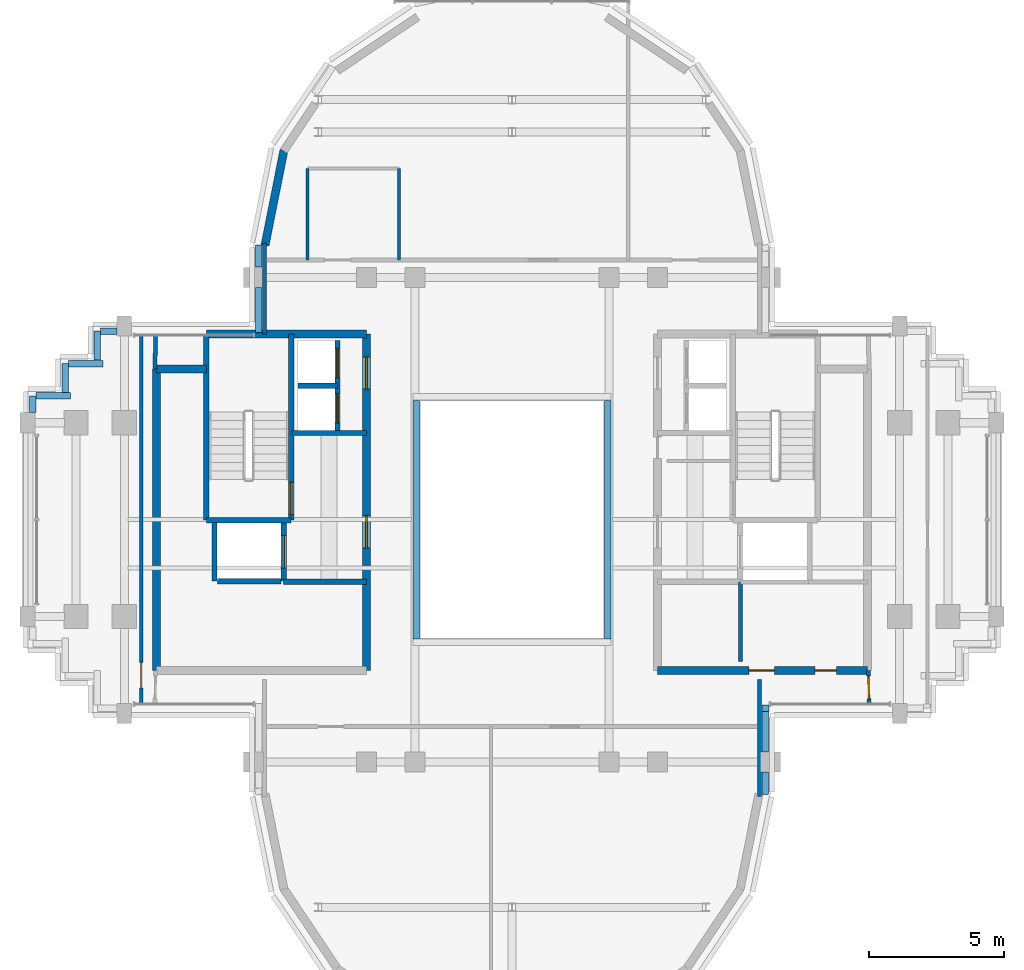
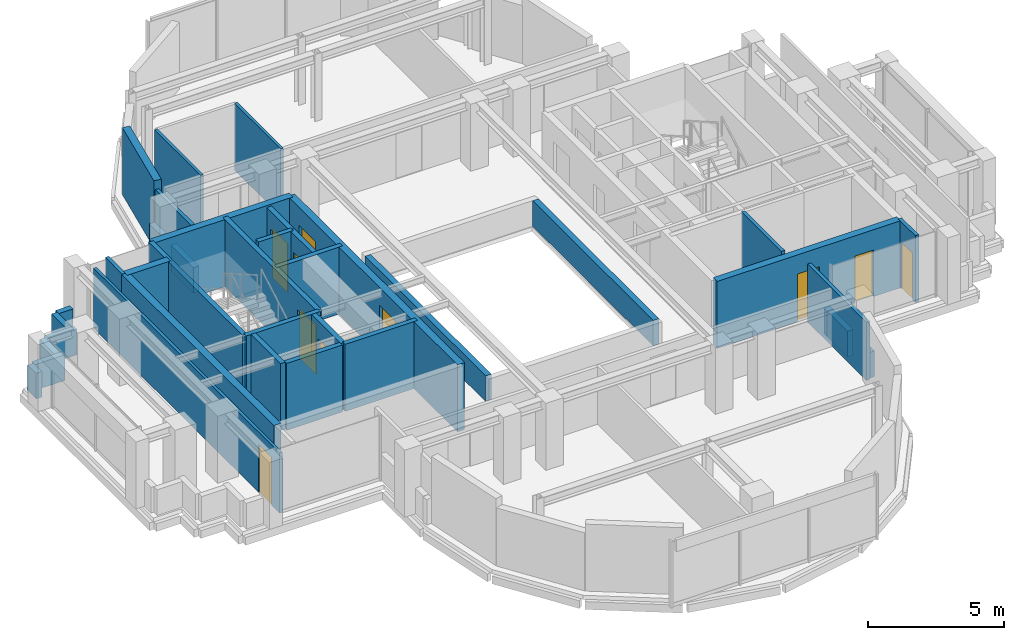
# One storey, part 8 of 12: 38 walls, 10 doors, 10 openings.
"""IFC4 building model written with IfcOpenShell, lengths in metres."""

import ifcopenshell
import ifcopenshell.guid

model = None  # the IFC model being written
_history = None  # IfcOwnerHistory: only IFC2X3 demands one
_inside = {}  # id of a spatial element -> (the spatial element, [elements in it])
_under = {}  # id of a project, library or spatial element -> (it, [spatial elements below it])
_declared = {}  # id of a project -> (the project, [libraries it declares])
_typed = {}  # id of a type object -> (the type object, [elements of that type])
_made_of = {}  # id of a material, layer set ... -> (it, [elements and type objects made of it])


def new_model(schema):
    """Start an empty IFC model of exactly this schema.

    Asked for "IFC4X3", IfcOpenShell would pick the latest addendum, in which some entities
    have other attributes; the version numbers below select the first issue.
    IFC2X3 requires an IfcOwnerHistory on every rooted entity: one is made here for all.
    """
    global model, _history
    if schema == "IFC4X3":
        model = ifcopenshell.file(schema_version=(4, 3, 0, 0))
    else:
        model = ifcopenshell.file(schema=schema)
    _inside.clear()
    _under.clear()
    _declared.clear()
    _typed.clear()
    _made_of.clear()
    _history = None
    if model.schema == "IFC2X3":
        org = make("IfcOrganization", Name="unknown")
        user = make(
            "IfcPersonAndOrganization",
            ThePerson=make("IfcPerson", FamilyName="unknown"),
            TheOrganization=org,
        )
        app = make(
            "IfcApplication",
            ApplicationDeveloper=org,
            Version="unknown",
            ApplicationFullName="unknown",
            ApplicationIdentifier="unknown",
        )
        _history = make(
            "IfcOwnerHistory",
            OwningUser=user,
            OwningApplication=app,
            ChangeAction="ADDED",
            CreationDate=0,
        )
    return model


def make(cls, **values):
    """One entity of the class cls with the attributes given. An attribute that is None is left unset."""
    return model.create_entity(
        cls, **{name: value for name, value in values.items() if value is not None}
    )


def rooted(cls, **values):
    """An entity with a GlobalId (a new one), such as an element, a storey or a relation."""
    return make(cls, GlobalId=ifcopenshell.guid.new(), OwnerHistory=_history, **values)


def si_unit(unit_type, name, prefix=None):
    """IfcSIUnit, for example si_unit("LENGTHUNIT", "METRE", prefix="MILLI")."""
    return make("IfcSIUnit", UnitType=unit_type, Prefix=prefix, Name=name)


def assignment(units):
    """IfcUnitAssignment: the units of a project."""
    return None if units is None else make("IfcUnitAssignment", Units=units)


def point(xyz):
    """IfcCartesianPoint."""
    return None if xyz is None else make("IfcCartesianPoint", Coordinates=xyz)


def direction(xyz):
    """IfcDirection."""
    return None if xyz is None else make("IfcDirection", DirectionRatios=xyz)


def frame(location, z_axis=None, x_axis=None):
    """IfcAxis2Placement3D, a coordinate frame: its origin and axes. An axis left out is left unset."""
    return make(
        "IfcAxis2Placement3D",
        Location=point(location),
        Axis=direction(z_axis),
        RefDirection=direction(x_axis),
    )


def frame_2d(location, x_axis=None):
    """IfcAxis2Placement2D, a coordinate frame in the plane: its origin and x axis."""
    return make(
        "IfcAxis2Placement2D", Location=point(location), RefDirection=direction(x_axis)
    )


def origin():
    """The frame at (0, 0, 0) with its axes left unset."""
    return frame((0.0, 0.0, 0.0))


def place(relative_to, where):
    """IfcLocalPlacement: puts the frame where relative to a parent placement (None: the world)."""
    return make(
        "IfcLocalPlacement", PlacementRelTo=relative_to, RelativePlacement=where
    )


def context(
    kind, dimensions, precision=None, world=None, true_north=None, identifier=None
):
    """IfcGeometricRepresentationContext, for example the 3D "Model" context."""
    return make(
        "IfcGeometricRepresentationContext",
        ContextIdentifier=identifier,
        ContextType=kind,
        CoordinateSpaceDimension=dimensions,
        Precision=precision,
        WorldCoordinateSystem=world,
        TrueNorth=true_north,
    )


def subcontext(parent, identifier, kind, view, scale=None):
    """IfcGeometricRepresentationSubContext, for example "Body" below "Model"."""
    return make(
        "IfcGeometricRepresentationSubContext",
        ContextIdentifier=identifier,
        ContextType=kind,
        ParentContext=parent,
        TargetScale=scale,
        TargetView=view,
    )


def project(units=None, contexts=None):
    """IfcProject with its units and contexts."""
    return rooted(
        "IfcProject",
        Name="project",
        RepresentationContexts=contexts,
        UnitsInContext=assignment(units),
    )


def spatial(cls, under=None, at=None, **own):
    """A site, building, storey or space (cls), placed at a placement, below another one or the project."""
    s = rooted(cls, ObjectPlacement=at, **own)
    if under is not None:
        _under.setdefault(under.id(), (under, []))[1].append(s)
    return s


def profile(cls, at=None, kind="AREA", **sizes):
    """A parametric profile (cls). Its sizes go by their IFC names, for example OverallWidth=200.0."""
    return make(cls, ProfileType=kind, Position=at, **sizes)


def rectangle(**sizes):
    """IfcRectangleProfileDef."""
    return profile("IfcRectangleProfileDef", **sizes)


def extrude(swept, where, along, depth):
    """IfcExtrudedAreaSolid: the profile swept, set in the frame where, extruded along a direction by depth."""
    return make(
        "IfcExtrudedAreaSolid",
        SweptArea=swept,
        Position=where,
        ExtrudedDirection=direction(along),
        Depth=depth,
    )


def shape(context_of_items, identifier, shape_type, items):
    """IfcShapeRepresentation: the items that make up one representation, for example the "Body"."""
    return make(
        "IfcShapeRepresentation",
        ContextOfItems=context_of_items,
        RepresentationIdentifier=identifier,
        RepresentationType=shape_type,
        Items=items,
    )


def source(mapping_origin, context_of_items, identifier, shape_type, items):
    """IfcRepresentationMap: a shape defined once, which mapped items show again and again."""
    return make(
        "IfcRepresentationMap",
        MappingOrigin=mapping_origin,
        MappedRepresentation=shape(context_of_items, identifier, shape_type, items),
    )


def transform(
    local_origin,
    x_axis=None,
    y_axis=None,
    z_axis=None,
    scale=None,
    scale2=None,
    scale3=None,
    uniform=True,
):
    """IfcCartesianTransformationOperator3D, or its non-uniform kind. x_axis, y_axis, z_axis: its Axis1, 2, 3."""
    if uniform:
        return make(
            "IfcCartesianTransformationOperator3D",
            Axis1=direction(x_axis),
            Axis2=direction(y_axis),
            LocalOrigin=point(local_origin),
            Scale=scale,
            Axis3=direction(z_axis),
        )
    return make(
        "IfcCartesianTransformationOperator3DnonUniform",
        Axis1=direction(x_axis),
        Axis2=direction(y_axis),
        LocalOrigin=point(local_origin),
        Scale=scale,
        Axis3=direction(z_axis),
        Scale2=scale2,
        Scale3=scale3,
    )


def mapped(mapping_source, mapping_target):
    """IfcMappedItem: shows the shape of a source again, moved by a transform."""
    return make(
        "IfcMappedItem", MappingSource=mapping_source, MappingTarget=mapping_target
    )


def material(Name=None, Category=None):
    """IfcMaterial."""
    return make("IfcMaterial", Name=Name, Category=Category)


def layer(
    of_material, thickness, ventilated=None, Name=None, Category=None, Priority=None
):
    """IfcMaterialLayer: one layer of a wall or slab, of a material (None: an air gap)."""
    return make(
        "IfcMaterialLayer",
        Material=of_material,
        LayerThickness=thickness,
        IsVentilated=ventilated,
        Name=Name,
        Category=Category,
        Priority=Priority,
    )


def layer_set(layers, Name=None):
    """IfcMaterialLayerSet."""
    return make("IfcMaterialLayerSet", MaterialLayers=layers, LayerSetName=Name)


def made_of(thing, what):
    """Note that an element or type object is made of a material, layer set ...; save() writes the relation."""
    if what is not None:
        _made_of.setdefault(what.id(), (what, []))[1].append(thing)
    return thing


def type_object(cls, material=None, **own):
    """A type object (cls), such as IfcWallType, which elements share."""
    return made_of(rooted(cls, **own), material)


def element(
    cls,
    number,
    at=None,
    inside=None,
    cuts=None,
    type_object=None,
    material=None,
    context=None,
    identifier="Body",
    shape_type=None,
    held_by="IfcProductDefinitionShape",
    body=None,
    shapes=None,
    **own,
):
    """One element of the class cls, such as IfcWall. Its Tag is "e" and its number.

    at: its placement. inside: the storey or other place that contains it. cuts: it is an
    opening in that element (IfcRelVoidsElement). A single representation is given by context,
    identifier, shape_type and body (its items); several are given by shapes. held_by: the class
    of the entity that holds the representations. save() writes the other relations.
    """
    e = rooted(cls, Tag="e%d" % number, ObjectPlacement=at, **own)
    if body is not None:
        shapes = [shape(context, identifier, shape_type, body)]
    if shapes is not None:
        e.Representation = make(held_by, Representations=shapes)
    if inside is not None:
        _inside.setdefault(inside.id(), (inside, []))[1].append(e)
    if cuts is not None:
        rooted(
            "IfcRelVoidsElement", RelatingBuildingElement=cuts, RelatedOpeningElement=e
        )
    if type_object is not None:
        _typed.setdefault(type_object.id(), (type_object, []))[1].append(e)
    return made_of(e, material)


def fill(opening, filler):
    """IfcRelFillsElement: the door or window that sits in an opening."""
    return rooted(
        "IfcRelFillsElement",
        RelatingOpeningElement=opening,
        RelatedBuildingElement=filler,
    )


def aggregate(whole, parts):
    """IfcRelAggregates: a whole, such as a stair, and the parts it consists of."""
    return rooted("IfcRelAggregates", RelatingObject=whole, RelatedObjects=parts)


def save(model, path):
    """Write the relations noted so far, then the file.

    IfcRelAggregates (storeys below a building ...), IfcRelContainedInSpatialStructure (elements
    in a storey), IfcRelDefinesByType, IfcRelAssociatesMaterial and IfcRelDeclares: one each for
    every whole, place, type object, material and project.
    """
    for whole, parts in _under.values():
        aggregate(whole, parts)
    for where, things in _inside.values():
        rooted(
            "IfcRelContainedInSpatialStructure",
            RelatedElements=things,
            RelatingStructure=where,
        )
    for kind, things in _typed.values():
        rooted("IfcRelDefinesByType", RelatedObjects=things, RelatingType=kind)
    for what, things in _made_of.values():
        rooted("IfcRelAssociatesMaterial", RelatedObjects=things, RelatingMaterial=what)
    for by, libraries in _declared.values():
        rooted("IfcRelDeclares", RelatingContext=by, RelatedDefinitions=libraries)
    model.write(path)


model = new_model("IFC4")

# Units and contexts
model_context = context("Model", 3, precision=1e-05, world=origin(), true_north=direction((0.0, 1.0)))
body_context = subcontext(model_context, "Body", "Model", "MODEL_VIEW")
ifc_project = project(units=[si_unit("LENGTHUNIT", "METRE"), si_unit("AREAUNIT", "SQUARE_METRE"), si_unit("VOLUMEUNIT", "CUBIC_METRE"), si_unit("PLANEANGLEUNIT", "RADIAN"), si_unit("MASSUNIT", "GRAM", prefix="KILO")], contexts=[model_context])

# Site, building, storey
site_placement = place(None, origin())
site = spatial("IfcSite", under=ifc_project, at=site_placement, CompositionType="ELEMENT")
building_placement = place(site_placement, origin())
building = spatial("IfcBuilding", under=site, at=building_placement, Name="Keilestroom Media Tower", CompositionType="ELEMENT")
storey_placement = place(building_placement, frame((0.0, 0.0, 236.39990234375)))
storey = spatial("IfcBuildingStorey", under=building, at=storey_placement, Name="L65", CompositionType="ELEMENT", Elevation=236.39990234375)

# Walls
ifc_material_1 = material(Name="Precast concrete C40/50", Category="concrete")
ifc_layer_1 = layer(ifc_material_1, 0.300048828125)
ifc_layer_set_1 = layer_set([ifc_layer_1], Name="Precast concrete C40/50")
wall_type_1 = type_object("IfcWallType", Name="Exterior-Masonry-Spandrel-Wall-300", PredefinedType="SOLIDWALL", material=ifc_layer_set_1)
wall_1_placement = place(storey_placement, frame((-8.470703125, 13.724609375, 0.0), z_axis=(0.0, 0.0, 1.0), x_axis=(-0.195114232679, -0.980780523974, 0.0)))
element("IfcWall", 1, at=wall_1_placement, inside=storey, type_object=wall_type_1, Name="L65 Lobe Facet Precast Frame Wall 06", PredefinedType="SOLIDWALL", context=body_context, shape_type="SweptSolid", body=[
    extrude(rectangle(XDim=3.608642578125, YDim=0.300048828125, at=frame_2d((1.80419921875, 0.0))), origin(), (0.0, 0.0, 1.0), 3.010009765625),
])
ifc_material_2 = material(Name="Gypsum Plasterboard & Steel Stud", Category="steel")
ifc_layer_2 = layer(ifc_material_2, 0.1201171875)
ifc_layer_set_2 = layer_set([ifc_layer_2], Name="Gypsum Plasterboard & Steel Stud")
wall_type_2 = type_object("IfcWallType", Name="Interior-Partition-Wall-120", PredefinedType="PARTITIONING", material=ifc_layer_set_2)
for number, where, z_axis, x_axis, name in (
    (2, (-7.60009765625, 9.639892578125, 0.0), (0.0, 0.0, 1.0), (0.0, 1.0, 0.0), "L65 Interior Wall WP-L65-NL-WC-W"),
    (3, (-4.199951171875, 9.639892578125, 0.0), (0.0, 0.0, 1.0), (0.0, 1.0, 0.0), "L65 Interior Wall WP-L65-NL-WC-E"),
):
    element("IfcWall", number, at=place(storey_placement, frame(where, z_axis=z_axis, x_axis=x_axis)), inside=storey, type_object=wall_type_2, Name=name, PredefinedType="PARTITIONING", context=body_context, shape_type="SweptSolid", body=[
        extrude(rectangle(XDim=3.400146484375, YDim=0.1201171875, at=frame_2d((1.7001953125, 0.0))), origin(), (0.0, 0.0, 1.0), 3.010009765625),
    ])

# Wall, opening, door
wall_2_placement = place(storey_placement, frame((-13.77001953125, -6.85009765625, 0.0), z_axis=(0.0, 0.0, 1.0), x_axis=(0.0, 1.0, 0.0)))
wall_2 = element("IfcWall", 4, at=wall_2_placement, inside=storey, type_object=wall_type_2, Name="L65 Interior Wall WP-L65-WA-CE", PredefinedType="PARTITIONING", context=body_context, shape_type="SweptSolid", body=[
    extrude(rectangle(XDim=13.7001953125, YDim=0.1201171875, at=frame_2d((6.85009765625, 0.0))), origin(), (0.0, 0.0, 1.0), 2.710205078125),
])
opening_1_placement = place(wall_2_placement, frame((0.60009765625, 0.0, 0.0)))
opening_1 = element("IfcOpeningElement", 5, at=opening_1_placement, cuts=wall_2, Name="Opening DI-03", PredefinedType="OPENING", context=body_context, shape_type="SweptSolid", body=[
    extrude(rectangle(XDim=0.949951171875, YDim=2.14990234375, at=frame_2d((0.47509765625, 1.074951171875))), frame((0.0, 0.070068359375, 0.0), z_axis=(0.0, -1.0, 0.0), x_axis=(1.0, 0.0, 0.0)), (0.0, 0.0, 1.0), 0.14013671875),
])
ifc_material_3 = material(Name="Lacquered European Oak Leaf", Category="wood")
door_type_1 = type_object("IfcDoorType", Name="Interior-Room-And-Suite-Door-DI-03", OperationType="NOTDEFINED", PredefinedType="DOOR", material=ifc_material_3)
shared_shape_1 = source(origin(), body_context, "Body", "SweptSolid", [
    extrude(rectangle(XDim=0.949951171875, YDim=2.14990234375, at=frame_2d((0.47509765625, 1.074951171875))), frame((0.0, 0.02490234375, 0.0), z_axis=(0.0, -1.0, 0.0), x_axis=(1.0, 0.0, 0.0)), (0.0, 0.0, 1.0), 0.050048828125),
])
door_1_placement = place(opening_1_placement, origin())
door_1 = element("IfcDoor", 6, at=door_1_placement, inside=storey, type_object=door_type_1, Name="L65 Interior Door DI-L65-DWA-END", OperationType="SINGLE_SWING_LEFT", OverallHeight=2.14990234375, OverallWidth=0.949951171875, PredefinedType="DOOR", context=body_context, shape_type="MappedRepresentation", body=[
    mapped(shared_shape_1, transform((0.0, 0.0, 0.0), x_axis=(1.0, 0.0, 0.0), y_axis=(0.0, 1.0, 0.0), z_axis=(0.0, 0.0, 1.0), scale=1.0)),
])
fill(opening_1, door_1)

# Walls
ifc_layer_3 = layer(ifc_material_2, 0.14990234375)
ifc_layer_set_3 = layer_set([ifc_layer_3], Name="Gypsum Plasterboard & Steel Stud")
wall_type_3 = type_object("IfcWallType", Name="Interior-Partition-Wall-150", PredefinedType="PARTITIONING", material=ifc_layer_set_3)
wall_3_placement = place(storey_placement, frame((8.47998046875, -5.260009765625, 0.0), z_axis=(0.0, 0.0, 1.0), x_axis=(0.0, 1.0, 0.0)))
element("IfcWall", 7, at=wall_3_placement, inside=storey, type_object=wall_type_3, Name="L65 Interior Wall WP-L65-RECME-W", PredefinedType="PARTITIONING", context=body_context, shape_type="SweptSolid", body=[
    extrude(rectangle(XDim=2.93994140625, YDim=0.14990234375, at=frame_2d((1.469970703125, 0.0))), origin(), (0.0, 0.0, 1.0), 3.010009765625),
])
wall_4_placement = place(storey_placement, frame((-9.199951171875, 6.89990234375, 0.0), z_axis=(0.0, 0.0, 1.0), x_axis=(0.0, 1.0, 0.0)))
element("IfcWall", 8, at=wall_4_placement, inside=storey, type_object=wall_type_3, Name="L65 Interior Wall WP-L65-NL-CHKW", PredefinedType="PARTITIONING", context=body_context, shape_type="SweptSolid", body=[
    extrude(rectangle(XDim=3.380126953125, YDim=0.14990234375, at=frame_2d((1.68994140625, 0.0))), origin(), (0.0, 0.0, 1.0), 2.610107421875),
])
wall_5_placement = place(storey_placement, frame((9.199951171875, -10.280029296875, 0.0), z_axis=(0.0, 0.0, 1.0), x_axis=(0.0, 1.0, 0.0)))
element("IfcWall", 9, at=wall_5_placement, inside=storey, type_object=wall_type_3, Name="L65 Interior Wall WP-L65-SL-CHKE", PredefinedType="PARTITIONING", context=body_context, shape_type="SweptSolid", body=[
    extrude(rectangle(XDim=4.340087890625, YDim=0.14990234375, at=frame_2d((2.169921875, 0.0))), origin(), (0.0, 0.0, 1.0), 2.610107421875),
])
wall_6_placement = place(storey_placement, frame((-13.260009765625, 5.60009765625, 0.0), z_axis=(0.0, 0.0, 1.0), x_axis=(0.016013571389, 0.999871774545, 0.0)))
element("IfcWall", 10, at=wall_6_placement, inside=storey, type_object=wall_type_3, Name="L65 Interior Wall WP-L65-WA-ENTN", PredefinedType="PARTITIONING", context=body_context, shape_type="SweptSolid", body=[
    extrude(rectangle(XDim=1.250244140625, YDim=0.14990234375, at=frame_2d((0.625, 0.0))), origin(), (0.0, 0.0, 1.0), 3.010009765625),
])

# Wall, opening, door
wall_7_placement = place(storey_placement, frame((13.260009765625, -6.85009765625, 0.0), z_axis=(0.0, 0.0, 1.0), x_axis=(-0.016013571389, 0.999871774545, 0.0)))
wall_7 = element("IfcWall", 11, at=wall_7_placement, inside=storey, type_object=wall_type_3, Name="L65 Interior Wall WP-L65-EA-ENTS", PredefinedType="PARTITIONING", context=body_context, shape_type="SweptSolid", body=[
    extrude(rectangle(XDim=1.250244140625, YDim=0.14990234375, at=frame_2d((0.625, 0.0))), origin(), (0.0, 0.0, 1.0), 3.010009765625),
])
opening_2_placement = place(wall_7_placement, frame((0.199951171875, 0.0, 0.0)))
opening_2 = element("IfcOpeningElement", 12, at=opening_2_placement, cuts=wall_7, Name="Opening DI-05", PredefinedType="OPENING", context=body_context, shape_type="SweptSolid", body=[
    extrude(rectangle(XDim=0.85009765625, YDim=2.10009765625, at=frame_2d((0.425048828125, 1.050048828125))), frame((0.0, 0.0849609375, 0.0), z_axis=(0.0, -1.0, 0.0), x_axis=(1.0, 0.0, 0.0)), (0.0, 0.0, 1.0), 0.169921875),
])
ifc_material_4 = material(Name="Moisture-Resistant Oak Leaf", Category="wood")
door_type_2 = type_object("IfcDoorType", Name="Interior-En-Suite-And-Cupboard-Door-DI-05", OperationType="NOTDEFINED", PredefinedType="DOOR", material=ifc_material_4)
shared_shape_2 = source(origin(), body_context, "Body", "SweptSolid", [
    extrude(rectangle(XDim=0.85009765625, YDim=2.10009765625, at=frame_2d((0.425048828125, 1.050048828125))), frame((0.0, 0.02490234375, 0.0), z_axis=(0.0, -1.0, 0.0), x_axis=(1.0, 0.0, 0.0)), (0.0, 0.0, 1.0), 0.050048828125),
])
door_2_placement = place(opening_2_placement, origin())
door_2 = element("IfcDoor", 13, at=door_2_placement, inside=storey, type_object=door_type_2, Name="L65 Interior Door DI-L65-DEA-W", OperationType="SINGLE_SWING_LEFT", OverallHeight=2.10009765625, OverallWidth=0.85009765625, PredefinedType="DOOR", context=body_context, shape_type="MappedRepresentation", body=[
    mapped(shared_shape_2, transform((0.0, 0.0, 0.0), x_axis=(1.0, 0.0, 0.0), y_axis=(0.0, 1.0, 0.0), z_axis=(0.0, 0.0, 1.0), scale=1.0)),
])
fill(opening_2, door_2)

# Wall
ifc_material_5 = material(Name="Concrete C50/60", Category="concrete")
ifc_layer_4 = layer(ifc_material_5, 0.300048828125)
ifc_layer_set_4 = layer_set([ifc_layer_4], Name="Concrete C50/60")
wall_type_4 = type_object("IfcWallType", Name="Reinforced-Concrete-Core-Shear-Wall-300", PredefinedType="SHEAR", material=ifc_layer_set_4)
wall_8_placement = place(storey_placement, frame((-13.199951171875, -5.60009765625, 0.0), z_axis=(0.0, 0.0, 1.0), x_axis=(0.0, 1.0, 0.0)))
element("IfcWall", 14, at=wall_8_placement, inside=storey, type_object=wall_type_4, Name="L65 Core Shear Wall WL-L65-CORE-W-OUT", PredefinedType="SHEAR", context=body_context, shape_type="SweptSolid", body=[
    extrude(rectangle(XDim=11.2001953125, YDim=0.300048828125, at=frame_2d((5.60009765625, 0.0))), origin(), (0.0, 0.0, 1.0), 3.010009765625),
])

# Wall, openings, doors
wall_9_placement = place(storey_placement, frame((-5.39990234375, -5.60009765625, 0.0), z_axis=(0.0, 0.0, 1.0), x_axis=(0.0, 1.0, 0.0)))
wall_9 = element("IfcWall", 15, at=wall_9_placement, inside=storey, type_object=wall_type_4, Name="L65 Core Shear Wall WL-L65-CORE-W-IN", PredefinedType="SHEAR", context=body_context, shape_type="SweptSolid", body=[
    extrude(rectangle(XDim=12.5, YDim=0.300048828125, at=frame_2d((6.25, 0.0))), origin(), (0.0, 0.0, 1.0), 3.010009765625),
])
opening_3_placement = place(wall_9_placement, frame((4.550048828125, 0.0, 0.0)))
opening_3 = element("IfcOpeningElement", 16, at=opening_3_placement, cuts=wall_9, Name="Opening DI-02", PredefinedType="OPENING", context=body_context, shape_type="SweptSolid", body=[
    extrude(rectangle(XDim=1.199951171875, YDim=2.199951171875, at=frame_2d((0.60009765625, 1.10009765625))), frame((0.0, 0.16015625, 0.0), z_axis=(0.0, -1.0, 0.0), x_axis=(1.0, 0.0, 0.0)), (0.0, 0.0, 1.0), 0.320068359375),
])
opening_4_placement = place(wall_9_placement, frame((10.449951171875, 0.0, 0.0)))
opening_4 = element("IfcOpeningElement", 17, at=opening_4_placement, cuts=wall_9, Name="Opening DI-02", PredefinedType="OPENING", context=body_context, shape_type="SweptSolid", body=[
    extrude(rectangle(XDim=1.199951171875, YDim=2.199951171875, at=frame_2d((0.60009765625, 1.10009765625))), frame((0.0, 0.16015625, 0.0), z_axis=(0.0, -1.0, 0.0), x_axis=(1.0, 0.0, 0.0)), (0.0, 0.0, 1.0), 0.320068359375),
])
ifc_material_6 = material(Name="Powder-Coated Steel Fire Leaf", Category="steel")
door_type_3 = type_object("IfcDoorType", Name="Interior-Compartment-Fire-Door-DI-02", OperationType="NOTDEFINED", PredefinedType="DOOR", material=ifc_material_6)
shared_shape_3 = source(origin(), body_context, "Body", "SweptSolid", [
    extrude(rectangle(XDim=1.199951171875, YDim=2.199951171875, at=frame_2d((0.60009765625, 1.10009765625))), frame((0.0, 0.02490234375, 0.0), z_axis=(0.0, -1.0, 0.0), x_axis=(1.0, 0.0, 0.0)), (0.0, 0.0, 1.0), 0.050048828125),
])
door_3_placement = place(opening_3_placement, origin())
door_3 = element("IfcDoor", 18, at=door_3_placement, inside=storey, type_object=door_type_3, Name="L65 W Firefighting Lobby Door", OperationType="SINGLE_SWING_RIGHT", OverallHeight=2.199951171875, OverallWidth=1.199951171875, PredefinedType="DOOR", context=body_context, shape_type="MappedRepresentation", body=[
    mapped(shared_shape_3, transform((0.0, 0.0, 0.0), x_axis=(1.0, 0.0, 0.0), y_axis=(0.0, 1.0, 0.0), z_axis=(0.0, 0.0, 1.0), scale=1.0)),
])
fill(opening_3, door_3)
door_4_placement = place(opening_4_placement, origin())
door_4 = element("IfcDoor", 19, at=door_4_placement, inside=storey, type_object=door_type_3, Name="L65 W High-Rise Lift Lobby Door", OperationType="SINGLE_SWING_LEFT", OverallHeight=2.199951171875, OverallWidth=1.199951171875, PredefinedType="DOOR", context=body_context, shape_type="MappedRepresentation", body=[
    mapped(shared_shape_3, transform((0.0, 0.0, 0.0), x_axis=(1.0, 0.0, 0.0), y_axis=(0.0, 1.0, 0.0), z_axis=(0.0, 0.0, 1.0), scale=1.0)),
])
fill(opening_4, door_4)

# Walls
wall_10_placement = place(storey_placement, frame((-11.35595703125, 6.89990234375, 0.0), z_axis=(0.0, 0.0, 1.0), x_axis=(1.0, 0.0, 0.0)))
element("IfcWall", 20, at=wall_10_placement, inside=storey, type_object=wall_type_4, Name="L65 Core Shear Wall WL-L65-CORE-W-N", PredefinedType="SHEAR", context=body_context, shape_type="SweptSolid", body=[
    extrude(rectangle(XDim=5.9560546875, YDim=0.300048828125, at=frame_2d((2.97802734375, 0.0))), origin(), (0.0, 0.0, 1.0), 3.010009765625),
])
wall_11_placement = place(storey_placement, frame((-13.199951171875, 5.60009765625, 0.0), z_axis=(0.0, 0.0, 1.0), x_axis=(1.0, 0.0, 0.0)))
element("IfcWall", 21, at=wall_11_placement, inside=storey, type_object=wall_type_4, Name="L65 Core Shear Wall WL-L65-CNW-N", PredefinedType="SHEAR", context=body_context, shape_type="SweptSolid", body=[
    extrude(rectangle(XDim=1.843994140625, YDim=0.300048828125, at=frame_2d((0.921875, 0.0))), origin(), (0.0, 0.0, 1.0), 3.010009765625),
])

# Wall, openings, doors
wall_12_placement = place(storey_placement, frame((5.39990234375, -5.60009765625, 0.0), z_axis=(0.0, 0.0, 1.0), x_axis=(1.0, 0.0, 0.0)))
wall_12 = element("IfcWall", 22, at=wall_12_placement, inside=storey, type_object=wall_type_4, Name="L65 Core Shear Wall WL-L65-CORE-E-S", PredefinedType="SHEAR", context=body_context, shape_type="SweptSolid", body=[
    extrude(rectangle(XDim=7.800048828125, YDim=0.300048828125, at=frame_2d((3.89990234375, 0.0))), origin(), (0.0, 0.0, 1.0), 3.010009765625),
])
opening_5_placement = place(wall_12_placement, frame((5.85009765625, 0.0, 0.0)))
opening_5 = element("IfcOpeningElement", 23, at=opening_5_placement, cuts=wall_12, Name="Opening DI-06", PredefinedType="OPENING", context=body_context, shape_type="SweptSolid", body=[
    extrude(rectangle(XDim=0.800048828125, YDim=2.10009765625, at=frame_2d((0.39990234375, 1.050048828125))), frame((0.0, 0.16015625, 0.0), z_axis=(0.0, -1.0, 0.0), x_axis=(1.0, 0.0, 0.0)), (0.0, 0.0, 1.0), 0.320068359375),
])
opening_6_placement = place(wall_12_placement, frame((3.39990234375, 0.0, 0.0)))
opening_6 = element("IfcOpeningElement", 24, at=opening_6_placement, cuts=wall_12, Name="Opening DI-03", PredefinedType="OPENING", context=body_context, shape_type="SweptSolid", body=[
    extrude(rectangle(XDim=0.949951171875, YDim=2.14990234375, at=frame_2d((0.47509765625, 1.074951171875))), frame((0.0, 0.16015625, 0.0), z_axis=(0.0, -1.0, 0.0), x_axis=(1.0, 0.0, 0.0)), (0.0, 0.0, 1.0), 0.320068359375),
])
ifc_material_7 = material(Name="Powder-Coated Steel Service Leaf", Category="steel")
door_type_4 = type_object("IfcDoorType", Name="Interior-Riser-Access-Door-DI-06", OperationType="NOTDEFINED", PredefinedType="DOOR", material=ifc_material_7)
shared_shape_4 = source(origin(), body_context, "Body", "SweptSolid", [
    extrude(rectangle(XDim=0.800048828125, YDim=2.10009765625, at=frame_2d((0.39990234375, 1.050048828125))), frame((0.0, 0.02490234375, 0.0), z_axis=(0.0, -1.0, 0.0), x_axis=(1.0, 0.0, 0.0)), (0.0, 0.0, 1.0), 0.050048828125),
])
door_5_placement = place(opening_5_placement, origin())
door_5 = element("IfcDoor", 25, at=door_5_placement, inside=storey, type_object=door_type_4, Name="L65 Reclaimed East Core Room Door", OperationType="SINGLE_SWING_RIGHT", OverallHeight=2.10009765625, OverallWidth=0.800048828125, PredefinedType="DOOR", context=body_context, shape_type="MappedRepresentation", body=[
    mapped(shared_shape_4, transform((0.0, 0.0, 0.0), x_axis=(1.0, 0.0, 0.0), y_axis=(0.0, 1.0, 0.0), z_axis=(0.0, 0.0, 1.0), scale=1.0)),
])
fill(opening_5, door_5)
door_6_placement = place(opening_6_placement, origin())
door_6 = element("IfcDoor", 26, at=door_6_placement, inside=storey, type_object=door_type_1, Name="L65 Reclaimed Mid East Room Door", OperationType="SINGLE_SWING_RIGHT", OverallHeight=2.14990234375, OverallWidth=0.949951171875, PredefinedType="DOOR", context=body_context, shape_type="MappedRepresentation", body=[
    mapped(shared_shape_1, transform((0.0, 0.0, 0.0), x_axis=(1.0, 0.0, 0.0), y_axis=(0.0, 1.0, 0.0), z_axis=(0.0, 0.0, 1.0), scale=1.0)),
])
fill(opening_6, door_6)

# Walls
ifc_layer_5 = layer(ifc_material_5, 0.199951171875)
ifc_layer_set_5 = layer_set([ifc_layer_5], Name="Concrete C50/60")
wall_type_5 = type_object("IfcWallType", Name="Reinforced-Concrete-Shaft-Wall-200", PredefinedType="SOLIDWALL", material=ifc_layer_set_5)
wall_13_placement = place(storey_placement, frame((-8.179931640625, 3.219970703125, 0.0), z_axis=(0.0, 0.0, 1.0), x_axis=(1.0, 0.0, 0.0)))
element("IfcWall", 27, at=wall_13_placement, inside=storey, type_object=wall_type_5, Name="L65 Core Shear Wall WL-L65-CORE-W-FFN", PredefinedType="SOLIDWALL", context=body_context, shape_type="SweptSolid", body=[
    extrude(rectangle(XDim=2.780029296875, YDim=0.199951171875, at=frame_2d((1.39013671875, 0.0))), origin(), (0.0, 0.0, 1.0), 3.010009765625),
])
wall_14_placement = place(storey_placement, frame((-8.47998046875, -2.300048828125, 0.0), z_axis=(0.0, 0.0, 1.0), x_axis=(1.0, 0.0, 0.0)))
element("IfcWall", 28, at=wall_14_placement, inside=storey, type_object=wall_type_5, Name="L65 Core Shear Wall WL-L65-CORE-W-FFS", PredefinedType="SOLIDWALL", context=body_context, shape_type="SweptSolid", body=[
    extrude(rectangle(XDim=3.080078125, YDim=0.199951171875, at=frame_2d((1.5400390625, 0.0))), origin(), (0.0, 0.0, 1.0), 3.010009765625),
])

# Wall, opening, door
wall_15_placement = place(storey_placement, frame((-8.2041015625, -0.01611328125, 0.0), z_axis=(0.0, 0.0, 1.0), x_axis=(0.0, 1.0, 0.0)))
wall_15 = element("IfcWall", 29, at=wall_15_placement, inside=storey, type_object=wall_type_5, Name="L65 Core Shear Wall WL-L65-STW-W-NEAR", PredefinedType="SOLIDWALL", context=body_context, shape_type="SweptSolid", body=[
    extrude(rectangle(XDim=6.916015625, YDim=0.199951171875, at=frame_2d((3.4580078125, 0.0))), origin(), (0.0, 0.0, 1.0), 3.010009765625),
])
opening_7_placement = place(wall_15_placement, frame((0.199951171875, 0.0, 0.0)))
opening_7 = element("IfcOpeningElement", 30, at=opening_7_placement, cuts=wall_15, Name="Opening DI-01S", PredefinedType="OPENING", context=body_context, shape_type="SweptSolid", body=[
    extrude(rectangle(XDim=1.199951171875, YDim=2.199951171875, at=frame_2d((0.60009765625, 1.10009765625))), frame((0.0, 0.10986328125, 0.0), z_axis=(0.0, -1.0, 0.0), x_axis=(1.0, 0.0, 0.0)), (0.0, 0.0, 1.0), 0.219970703125),
])
door_type_5 = type_object("IfcDoorType", Name="Interior-Stair-And-Core-Fire-Door-DI-01", OperationType="NOTDEFINED", PredefinedType="DOOR", material=ifc_material_6)
door_7_placement = place(opening_7_placement, origin())
door_7 = element("IfcDoor", 31, at=door_7_placement, inside=storey, type_object=door_type_5, Name="L65 Escape Stair ST-1 Fire Door", OperationType="SINGLE_SWING_LEFT", OverallHeight=2.199951171875, OverallWidth=1.199951171875, PredefinedType="DOOR", context=body_context, shape_type="MappedRepresentation", body=[
    mapped(shared_shape_3, transform((0.0, 0.0, 0.0), x_axis=(1.0, 0.0, 0.0), y_axis=(0.0, 1.0, 0.0), z_axis=(0.0, 0.0, 1.0), scale=1.0)),
])
fill(opening_7, door_7)

# Walls
wall_16_placement = place(storey_placement, frame((-11.35595703125, -0.01611328125, 0.0), z_axis=(0.0, 0.0, 1.0), x_axis=(0.0, 1.0, 0.0)))
element("IfcWall", 32, at=wall_16_placement, inside=storey, type_object=wall_type_5, Name="L65 Core Shear Wall WL-L65-STW-W-FAR", PredefinedType="SOLIDWALL", context=body_context, shape_type="SweptSolid", body=[
    extrude(rectangle(XDim=6.916015625, YDim=0.199951171875, at=frame_2d((3.4580078125, 0.0))), origin(), (0.0, 0.0, 1.0), 3.010009765625),
])
wall_17_placement = place(storey_placement, frame((-11.35595703125, -0.01611328125, 0.0), z_axis=(0.0, 0.0, 1.0), x_axis=(1.0, 0.0, 0.0)))
element("IfcWall", 33, at=wall_17_placement, inside=storey, type_object=wall_type_5, Name="L65 Core Shear Wall WL-L65-STW-W-S", PredefinedType="SOLIDWALL", context=body_context, shape_type="SweptSolid", body=[
    extrude(rectangle(XDim=3.15185546875, YDim=0.199951171875, at=frame_2d((1.575927734375, 0.0))), origin(), (0.0, 0.0, 1.0), 3.010009765625),
])
wall_18_placement = place(storey_placement, frame((-11.050048828125, -2.280029296875, 0.0), z_axis=(0.0, 0.0, 1.0), x_axis=(0.0, 1.0, 0.0)))
element("IfcWall", 34, at=wall_18_placement, inside=storey, type_object=wall_type_5, Name="L65 Core Shear Wall WL-L65-LSH-FFL-1-W", PredefinedType="SOLIDWALL", context=body_context, shape_type="SweptSolid", body=[
    extrude(rectangle(XDim=2.179931640625, YDim=0.199951171875, at=frame_2d((1.08984375, 0.0))), origin(), (0.0, 0.0, 1.0), 3.010009765625),
])

# Wall, opening, door
wall_19_placement = place(storey_placement, frame((-8.47998046875, -2.280029296875, 0.0), z_axis=(0.0, 0.0, 1.0), x_axis=(0.0, 1.0, 0.0)))
wall_19 = element("IfcWall", 35, at=wall_19_placement, inside=storey, type_object=wall_type_5, Name="L65 Core Shear Wall WL-L65-LSH-FFL-1-E", PredefinedType="SOLIDWALL", context=body_context, shape_type="SweptSolid", body=[
    extrude(rectangle(XDim=2.179931640625, YDim=0.199951171875, at=frame_2d((1.08984375, 0.0))), origin(), (0.0, 0.0, 1.0), 3.010009765625),
])
opening_8_placement = place(wall_19_placement, frame((0.489990234375, 0.0, 0.0)))
opening_8 = element("IfcOpeningElement", 36, at=opening_8_placement, cuts=wall_19, Name="Opening LD-02", PredefinedType="OPENING", context=body_context, shape_type="SweptSolid", body=[
    extrude(rectangle(XDim=1.199951171875, YDim=2.199951171875, at=frame_2d((0.60009765625, 1.10009765625))), frame((0.0, 0.10986328125, 0.0), z_axis=(0.0, -1.0, 0.0), x_axis=(1.0, 0.0, 0.0)), (0.0, 0.0, 1.0), 0.219970703125),
])
ifc_material_8 = material(Name="Brushed Stainless Steel Sliding Leaf", Category="steel")
door_type_6 = type_object("IfcDoorType", Name="Lift-Landing-Sliding-Door-LD-02", OperationType="SLIDING_TO_RIGHT", PredefinedType="DOOR", material=ifc_material_8)
door_8_placement = place(opening_8_placement, origin())
door_8 = element("IfcDoor", 37, at=door_8_placement, inside=storey, type_object=door_type_6, Name="L65 Lift FFL-1 Landing Sliding Door", OperationType="SLIDING_TO_RIGHT", OverallHeight=2.199951171875, OverallWidth=1.199951171875, PredefinedType="DOOR", context=body_context, shape_type="MappedRepresentation", body=[
    mapped(shared_shape_3, transform((0.0, 0.0, 0.0), x_axis=(1.0, 0.0, 0.0), y_axis=(0.0, 1.0, 0.0), z_axis=(0.0, 0.0, 1.0), scale=1.0)),
])
fill(opening_8, door_8)

# Wall
wall_20_placement = place(storey_placement, frame((-10.946044921875, -2.280029296875, 0.0), z_axis=(0.0, 0.0, 1.0), x_axis=(1.0, 0.0, 0.0)))
element("IfcWall", 38, at=wall_20_placement, inside=storey, type_object=wall_type_5, Name="L65 Core Shear Wall WL-L65-LSH-FFL-1-S", PredefinedType="SOLIDWALL", context=body_context, shape_type="SweptSolid", body=[
    extrude(rectangle(XDim=2.362060546875, YDim=0.199951171875, at=frame_2d((1.18115234375, 0.0))), origin(), (0.0, 0.0, 1.0), 3.010009765625),
])

# Wall, opening, door
wall_21_placement = place(storey_placement, frame((-6.47998046875, 3.300048828125, 0.0), z_axis=(0.0, 0.0, 1.0), x_axis=(0.0, 1.0, 0.0)))
wall_21 = element("IfcWall", 39, at=wall_21_placement, inside=storey, type_object=wall_type_5, Name="L65 Core Shear Wall WL-L65-LSH-PL-H1-E", PredefinedType="SOLIDWALL", context=body_context, shape_type="SweptSolid", body=[
    extrude(rectangle(XDim=1.679931640625, YDim=0.199951171875, at=frame_2d((0.83984375, 0.0))), origin(), (0.0, 0.0, 1.0), 3.010009765625),
])
opening_9_placement = place(wall_21_placement, frame((0.2900390625, 0.0, 0.0)))
opening_9 = element("IfcOpeningElement", 40, at=opening_9_placement, cuts=wall_21, Name="Opening LD-01", PredefinedType="OPENING", context=body_context, shape_type="SweptSolid", body=[
    extrude(rectangle(XDim=1.10009765625, YDim=2.199951171875, at=frame_2d((0.550048828125, 1.10009765625))), frame((0.0, 0.10986328125, 0.0), z_axis=(0.0, -1.0, 0.0), x_axis=(1.0, 0.0, 0.0)), (0.0, 0.0, 1.0), 0.219970703125),
])
door_type_7 = type_object("IfcDoorType", Name="Lift-Landing-Sliding-Door-LD-01", OperationType="SLIDING_TO_LEFT", PredefinedType="DOOR", material=ifc_material_8)
shared_shape_5 = source(origin(), body_context, "Body", "SweptSolid", [
    extrude(rectangle(XDim=1.10009765625, YDim=2.199951171875, at=frame_2d((0.550048828125, 1.10009765625))), frame((0.0, 0.02490234375, 0.0), z_axis=(0.0, -1.0, 0.0), x_axis=(1.0, 0.0, 0.0)), (0.0, 0.0, 1.0), 0.050048828125),
])
door_9_placement = place(opening_9_placement, origin())
door_9 = element("IfcDoor", 41, at=door_9_placement, inside=storey, type_object=door_type_7, Name="L65 Lift PL-H1 Landing Sliding Door", OperationType="SLIDING_TO_LEFT", OverallHeight=2.199951171875, OverallWidth=1.10009765625, PredefinedType="DOOR", context=body_context, shape_type="MappedRepresentation", body=[
    mapped(shared_shape_5, transform((0.0, 0.0, 0.0), x_axis=(1.0, 0.0, 0.0), y_axis=(0.0, 1.0, 0.0), z_axis=(0.0, 0.0, 1.0), scale=1.0)),
])
fill(opening_9, door_9)

# Wall
wall_22_placement = place(storey_placement, frame((-7.949951171875, 4.97998046875, 0.0), z_axis=(0.0, 0.0, 1.0), x_axis=(1.0, 0.0, 0.0)))
element("IfcWall", 42, at=wall_22_placement, inside=storey, type_object=wall_type_5, Name="L65 Core Shear Wall WL-L65-LSH-PL-H1-N", PredefinedType="SOLIDWALL", context=body_context, shape_type="SweptSolid", body=[
    extrude(rectangle(XDim=1.469970703125, YDim=0.199951171875, at=frame_2d((0.73486328125, 0.0))), origin(), (0.0, 0.0, 1.0), 3.010009765625),
])

# Wall, opening, door
wall_23_placement = place(storey_placement, frame((-6.47998046875, 4.97998046875, 0.0), z_axis=(0.0, 0.0, 1.0), x_axis=(0.0, 1.0, 0.0)))
wall_23 = element("IfcWall", 43, at=wall_23_placement, inside=storey, type_object=wall_type_5, Name="L65 Core Shear Wall WL-L65-LSH-PL-H2-E", PredefinedType="SOLIDWALL", context=body_context, shape_type="SweptSolid", body=[
    extrude(rectangle(XDim=1.669921875, YDim=0.199951171875, at=frame_2d((0.8349609375, 0.0))), origin(), (0.0, 0.0, 1.0), 3.010009765625),
])
opening_10_placement = place(wall_23_placement, frame((0.284912109375, 0.0, 0.0)))
opening_10 = element("IfcOpeningElement", 44, at=opening_10_placement, cuts=wall_23, Name="Opening LD-01", PredefinedType="OPENING", context=body_context, shape_type="SweptSolid", body=[
    extrude(rectangle(XDim=1.10009765625, YDim=2.199951171875, at=frame_2d((0.550048828125, 1.10009765625))), frame((0.0, 0.10986328125, 0.0), z_axis=(0.0, -1.0, 0.0), x_axis=(1.0, 0.0, 0.0)), (0.0, 0.0, 1.0), 0.219970703125),
])
door_10_placement = place(opening_10_placement, origin())
door_10 = element("IfcDoor", 45, at=door_10_placement, inside=storey, type_object=door_type_7, Name="L65 Lift PL-H2 Landing Sliding Door", OperationType="SLIDING_TO_LEFT", OverallHeight=2.199951171875, OverallWidth=1.10009765625, PredefinedType="DOOR", context=body_context, shape_type="MappedRepresentation", body=[
    mapped(shared_shape_5, transform((0.0, 0.0, 0.0), x_axis=(1.0, 0.0, 0.0), y_axis=(0.0, 1.0, 0.0), z_axis=(0.0, 0.0, 1.0), scale=1.0)),
])
fill(opening_10, door_10)

# Walls
ifc_layer_6 = layer(ifc_material_1, 0.239990234375)
ifc_layer_set_6 = layer_set([ifc_layer_6], Name="Precast concrete C40/50")
wall_type_6 = type_object("IfcWallType", Name="Roof-And-Terrace-Parapet-Wall-240", PredefinedType="PARAPET", material=ifc_layer_set_6)
wall_24_placement = place(storey_placement, frame((9.547119140625, -7.0, 0.0), z_axis=(0.0, 0.0, 1.0), x_axis=(-1.0, 0.0, 0.0)))
element("IfcWall", 46, at=wall_24_placement, inside=storey, type_object=wall_type_6, Name="L65 Perimeter Edge Parapet Wall 07", PredefinedType="PARAPET", context=body_context, shape_type="SweptSolid", body=[
    extrude(rectangle(XDim=0.26904296875, YDim=0.239990234375, at=frame_2d((0.134521484375, 0.0))), origin(), (0.0, 0.0, 1.0), 1.150146484375),
])
wall_25_placement = place(storey_placement, frame((9.39990234375, -7.123046875, 0.0), z_axis=(0.0, 0.0, 1.0), x_axis=(0.0, -1.0, 0.0)))
element("IfcWall", 47, at=wall_25_placement, inside=storey, type_object=wall_type_6, Name="L65 Perimeter Edge Parapet Wall 08", PredefinedType="PARAPET", context=body_context, shape_type="SweptSolid", body=[
    extrude(rectangle(XDim=1.4990234375, YDim=0.239990234375, at=frame_2d((0.74951171875, 0.0))), origin(), (0.0, 0.0, 1.0), 1.150146484375),
])
wall_26_placement = place(storey_placement, frame((9.39990234375, -9.3779296875, 0.0), z_axis=(0.0, 0.0, 1.0), x_axis=(0.0, -1.0, 0.0)))
element("IfcWall", 48, at=wall_26_placement, inside=storey, type_object=wall_type_6, Name="L65 Perimeter Edge Parapet Wall 09", PredefinedType="PARAPET", context=body_context, shape_type="SweptSolid", body=[
    extrude(rectangle(XDim=0.824951171875, YDim=0.239990234375, at=frame_2d((0.41259765625, 0.0))), origin(), (0.0, 0.0, 1.0), 1.150146484375),
])
wall_27_placement = place(storey_placement, frame((-17.800048828125, 3.97802734375, 0.0), z_axis=(0.0, 0.0, 1.0), x_axis=(0.0, 1.0, 0.0)))
element("IfcWall", 49, at=wall_27_placement, inside=storey, type_object=wall_type_6, Name="L65 Perimeter Edge Parapet Wall 19", PredefinedType="PARAPET", context=body_context, shape_type="SweptSolid", body=[
    extrude(rectangle(XDim=0.6220703125, YDim=0.239990234375, at=frame_2d((0.31103515625, 0.0))), origin(), (0.0, 0.0, 1.0), 1.150146484375),
])
wall_28_placement = place(storey_placement, frame((-17.677001953125, 4.60009765625, 0.0), z_axis=(0.0, 0.0, 1.0), x_axis=(1.0, 0.0, 0.0)))
element("IfcWall", 50, at=wall_28_placement, inside=storey, type_object=wall_type_6, Name="L65 Perimeter Edge Parapet Wall 20", PredefinedType="PARAPET", context=body_context, shape_type="SweptSolid", body=[
    extrude(rectangle(XDim=1.277099609375, YDim=0.239990234375, at=frame_2d((0.638671875, 0.0))), origin(), (0.0, 0.0, 1.0), 1.150146484375),
])
wall_29_placement = place(storey_placement, frame((-16.60009765625, 4.722900390625, 0.0), z_axis=(0.0, 0.0, 1.0), x_axis=(0.0, 1.0, 0.0)))
element("IfcWall", 51, at=wall_29_placement, inside=storey, type_object=wall_type_6, Name="L65 Perimeter Edge Parapet Wall 21", PredefinedType="PARAPET", context=body_context, shape_type="SweptSolid", body=[
    extrude(rectangle(XDim=1.0771484375, YDim=0.239990234375, at=frame_2d((0.53857421875, 0.0))), origin(), (0.0, 0.0, 1.0), 1.150146484375),
])
wall_30_placement = place(storey_placement, frame((-16.47705078125, 5.800048828125, 0.0), z_axis=(0.0, 0.0, 1.0), x_axis=(1.0, 0.0, 0.0)))
element("IfcWall", 52, at=wall_30_placement, inside=storey, type_object=wall_type_6, Name="L65 Perimeter Edge Parapet Wall 22", PredefinedType="PARAPET", context=body_context, shape_type="SweptSolid", body=[
    extrude(rectangle(XDim=1.277099609375, YDim=0.239990234375, at=frame_2d((0.638671875, 0.0))), origin(), (0.0, 0.0, 1.0), 1.150146484375),
])
wall_31_placement = place(storey_placement, frame((-15.39990234375, 5.923095703125, 0.0), z_axis=(0.0, 0.0, 1.0), x_axis=(0.0, 1.0, 0.0)))
element("IfcWall", 53, at=wall_31_placement, inside=storey, type_object=wall_type_6, Name="L65 Perimeter Edge Parapet Wall 23", PredefinedType="PARAPET", context=body_context, shape_type="SweptSolid", body=[
    extrude(rectangle(XDim=1.076904296875, YDim=0.239990234375, at=frame_2d((0.53857421875, 0.0))), origin(), (0.0, 0.0, 1.0), 1.150146484375),
])
wall_32_placement = place(storey_placement, frame((-15.277099609375, 7.0, 0.0), z_axis=(0.0, 0.0, 1.0), x_axis=(1.0, 0.0, 0.0)))
element("IfcWall", 54, at=wall_32_placement, inside=storey, type_object=wall_type_6, Name="L65 Perimeter Edge Parapet Wall 24", PredefinedType="PARAPET", context=body_context, shape_type="SweptSolid", body=[
    extrude(rectangle(XDim=0.59912109375, YDim=0.239990234375, at=frame_2d((0.299560546875, 0.0))), origin(), (0.0, 0.0, 1.0), 1.150146484375),
])
wall_33_placement = place(storey_placement, frame((-9.39990234375, 6.952880859375, 0.0), z_axis=(0.0, 0.0, 1.0), x_axis=(0.0, 1.0, 0.0)))
element("IfcWall", 55, at=wall_33_placement, inside=storey, type_object=wall_type_6, Name="L65 Perimeter Edge Parapet Wall 25", PredefinedType="PARAPET", context=body_context, shape_type="SweptSolid", body=[
    extrude(rectangle(XDim=1.669189453125, YDim=0.239990234375, at=frame_2d((0.83447265625, 0.0))), origin(), (0.0, 0.0, 1.0), 1.150146484375),
])
wall_34_placement = place(storey_placement, frame((-9.39990234375, 9.3779296875, 0.0), z_axis=(0.0, 0.0, 1.0), x_axis=(0.0, 1.0, 0.0)))
element("IfcWall", 56, at=wall_34_placement, inside=storey, type_object=wall_type_6, Name="L65 Perimeter Edge Parapet Wall 26", PredefinedType="PARAPET", context=body_context, shape_type="SweptSolid", body=[
    extrude(rectangle(XDim=0.824951171875, YDim=0.239990234375, at=frame_2d((0.41259765625, 0.0))), origin(), (0.0, 0.0, 1.0), 1.150146484375),
])
for number, where, z_axis, x_axis, name in (
    (57, (-3.56005859375, -4.43505859375, 0.0), (0.0, 0.0, 1.0), (0.0, 1.0, 0.0), "L65 Central Atrium Guard Parapet W"),
    (58, (3.56005859375, -4.43505859375, 0.0), (0.0, 0.0, 1.0), (0.0, 1.0, 0.0), "L65 Central Atrium Guard Parapet E"),
):
    element("IfcWall", number, at=place(storey_placement, frame(where, z_axis=z_axis, x_axis=x_axis)), inside=storey, type_object=wall_type_6, Name=name, PredefinedType="PARAPET", context=body_context, shape_type="SweptSolid", body=[
        extrude(rectangle(XDim=8.8701171875, YDim=0.239990234375, at=frame_2d((4.43505859375, 0.0))), origin(), (0.0, 0.0, 1.0), 1.150146484375),
    ])

save(model, "model.ifc")
